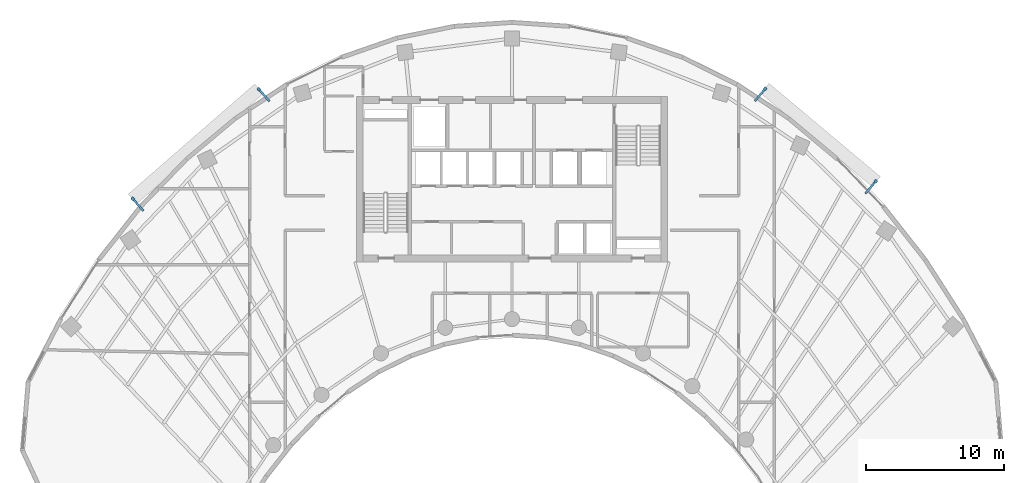
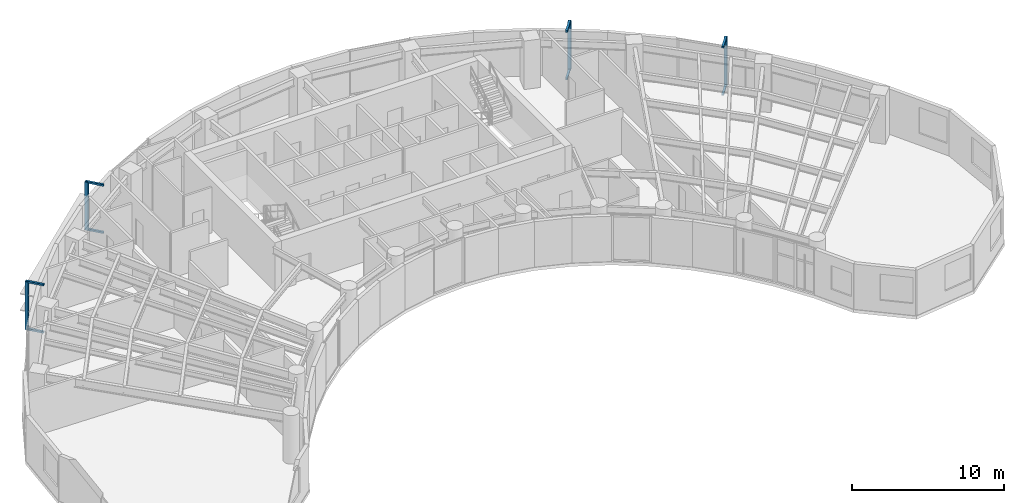
# One storey, part 11 of 13: 12 discrete accessories.
"""IFC4 building model written with IfcOpenShell, lengths in metres."""

import ifcopenshell
import ifcopenshell.guid

model = None  # the IFC model being written
_history = None  # IfcOwnerHistory: only IFC2X3 demands one
_inside = {}  # id of a spatial element -> (the spatial element, [elements in it])
_under = {}  # id of a project, library or spatial element -> (it, [spatial elements below it])
_declared = {}  # id of a project -> (the project, [libraries it declares])
_typed = {}  # id of a type object -> (the type object, [elements of that type])
_made_of = {}  # id of a material, layer set ... -> (it, [elements and type objects made of it])


def new_model(schema):
    """Start an empty IFC model of exactly this schema.

    Asked for "IFC4X3", IfcOpenShell would pick the latest addendum, in which some entities
    have other attributes; the version numbers below select the first issue.
    IFC2X3 requires an IfcOwnerHistory on every rooted entity: one is made here for all.
    """
    global model, _history
    if schema == "IFC4X3":
        model = ifcopenshell.file(schema_version=(4, 3, 0, 0))
    else:
        model = ifcopenshell.file(schema=schema)
    _inside.clear()
    _under.clear()
    _declared.clear()
    _typed.clear()
    _made_of.clear()
    _history = None
    if model.schema == "IFC2X3":
        org = make("IfcOrganization", Name="unknown")
        user = make(
            "IfcPersonAndOrganization",
            ThePerson=make("IfcPerson", FamilyName="unknown"),
            TheOrganization=org,
        )
        app = make(
            "IfcApplication",
            ApplicationDeveloper=org,
            Version="unknown",
            ApplicationFullName="unknown",
            ApplicationIdentifier="unknown",
        )
        _history = make(
            "IfcOwnerHistory",
            OwningUser=user,
            OwningApplication=app,
            ChangeAction="ADDED",
            CreationDate=0,
        )
    return model


def make(cls, **values):
    """One entity of the class cls with the attributes given. An attribute that is None is left unset."""
    return model.create_entity(
        cls, **{name: value for name, value in values.items() if value is not None}
    )


def rooted(cls, **values):
    """An entity with a GlobalId (a new one), such as an element, a storey or a relation."""
    return make(cls, GlobalId=ifcopenshell.guid.new(), OwnerHistory=_history, **values)


def si_unit(unit_type, name, prefix=None):
    """IfcSIUnit, for example si_unit("LENGTHUNIT", "METRE", prefix="MILLI")."""
    return make("IfcSIUnit", UnitType=unit_type, Prefix=prefix, Name=name)


def assignment(units):
    """IfcUnitAssignment: the units of a project."""
    return None if units is None else make("IfcUnitAssignment", Units=units)


def point(xyz):
    """IfcCartesianPoint."""
    return None if xyz is None else make("IfcCartesianPoint", Coordinates=xyz)


def direction(xyz):
    """IfcDirection."""
    return None if xyz is None else make("IfcDirection", DirectionRatios=xyz)


def frame(location, z_axis=None, x_axis=None):
    """IfcAxis2Placement3D, a coordinate frame: its origin and axes. An axis left out is left unset."""
    return make(
        "IfcAxis2Placement3D",
        Location=point(location),
        Axis=direction(z_axis),
        RefDirection=direction(x_axis),
    )


def frame_2d(location, x_axis=None):
    """IfcAxis2Placement2D, a coordinate frame in the plane: its origin and x axis."""
    return make(
        "IfcAxis2Placement2D", Location=point(location), RefDirection=direction(x_axis)
    )


def origin():
    """The frame at (0, 0, 0) with its axes left unset."""
    return frame((0.0, 0.0, 0.0))


def origin_2d():
    """The frame at (0, 0) in the plane with its x axis left unset."""
    return frame_2d((0.0, 0.0))


def place(relative_to, where):
    """IfcLocalPlacement: puts the frame where relative to a parent placement (None: the world)."""
    return make(
        "IfcLocalPlacement", PlacementRelTo=relative_to, RelativePlacement=where
    )


def context(
    kind, dimensions, precision=None, world=None, true_north=None, identifier=None
):
    """IfcGeometricRepresentationContext, for example the 3D "Model" context."""
    return make(
        "IfcGeometricRepresentationContext",
        ContextIdentifier=identifier,
        ContextType=kind,
        CoordinateSpaceDimension=dimensions,
        Precision=precision,
        WorldCoordinateSystem=world,
        TrueNorth=true_north,
    )


def subcontext(parent, identifier, kind, view, scale=None):
    """IfcGeometricRepresentationSubContext, for example "Body" below "Model"."""
    return make(
        "IfcGeometricRepresentationSubContext",
        ContextIdentifier=identifier,
        ContextType=kind,
        ParentContext=parent,
        TargetScale=scale,
        TargetView=view,
    )


def project(units=None, contexts=None):
    """IfcProject with its units and contexts."""
    return rooted(
        "IfcProject",
        Name="project",
        RepresentationContexts=contexts,
        UnitsInContext=assignment(units),
    )


def spatial(cls, under=None, at=None, **own):
    """A site, building, storey or space (cls), placed at a placement, below another one or the project."""
    s = rooted(cls, ObjectPlacement=at, **own)
    if under is not None:
        _under.setdefault(under.id(), (under, []))[1].append(s)
    return s


def profile(cls, at=None, kind="AREA", **sizes):
    """A parametric profile (cls). Its sizes go by their IFC names, for example OverallWidth=200.0."""
    return make(cls, ProfileType=kind, Position=at, **sizes)


def rectangle(**sizes):
    """IfcRectangleProfileDef."""
    return profile("IfcRectangleProfileDef", **sizes)


def extrude(swept, where, along, depth):
    """IfcExtrudedAreaSolid: the profile swept, set in the frame where, extruded along a direction by depth."""
    return make(
        "IfcExtrudedAreaSolid",
        SweptArea=swept,
        Position=where,
        ExtrudedDirection=direction(along),
        Depth=depth,
    )


def shape(context_of_items, identifier, shape_type, items):
    """IfcShapeRepresentation: the items that make up one representation, for example the "Body"."""
    return make(
        "IfcShapeRepresentation",
        ContextOfItems=context_of_items,
        RepresentationIdentifier=identifier,
        RepresentationType=shape_type,
        Items=items,
    )


def source(mapping_origin, context_of_items, identifier, shape_type, items):
    """IfcRepresentationMap: a shape defined once, which mapped items show again and again."""
    return make(
        "IfcRepresentationMap",
        MappingOrigin=mapping_origin,
        MappedRepresentation=shape(context_of_items, identifier, shape_type, items),
    )


def transform(
    local_origin,
    x_axis=None,
    y_axis=None,
    z_axis=None,
    scale=None,
    scale2=None,
    scale3=None,
    uniform=True,
):
    """IfcCartesianTransformationOperator3D, or its non-uniform kind. x_axis, y_axis, z_axis: its Axis1, 2, 3."""
    if uniform:
        return make(
            "IfcCartesianTransformationOperator3D",
            Axis1=direction(x_axis),
            Axis2=direction(y_axis),
            LocalOrigin=point(local_origin),
            Scale=scale,
            Axis3=direction(z_axis),
        )
    return make(
        "IfcCartesianTransformationOperator3DnonUniform",
        Axis1=direction(x_axis),
        Axis2=direction(y_axis),
        LocalOrigin=point(local_origin),
        Scale=scale,
        Axis3=direction(z_axis),
        Scale2=scale2,
        Scale3=scale3,
    )


def mapped(mapping_source, mapping_target):
    """IfcMappedItem: shows the shape of a source again, moved by a transform."""
    return make(
        "IfcMappedItem", MappingSource=mapping_source, MappingTarget=mapping_target
    )


def material(Name=None, Category=None):
    """IfcMaterial."""
    return make("IfcMaterial", Name=Name, Category=Category)


def made_of(thing, what):
    """Note that an element or type object is made of a material, layer set ...; save() writes the relation."""
    if what is not None:
        _made_of.setdefault(what.id(), (what, []))[1].append(thing)
    return thing


def type_object(cls, material=None, **own):
    """A type object (cls), such as IfcWallType, which elements share."""
    return made_of(rooted(cls, **own), material)


def type_shapes(of_type, sources):
    """Give a type object the sources (RepresentationMaps) that its elements show as mapped items."""
    of_type.RepresentationMaps = sources


def element(
    cls,
    number,
    at=None,
    inside=None,
    cuts=None,
    type_object=None,
    material=None,
    context=None,
    identifier="Body",
    shape_type=None,
    held_by="IfcProductDefinitionShape",
    body=None,
    shapes=None,
    **own,
):
    """One element of the class cls, such as IfcWall. Its Tag is "e" and its number.

    at: its placement. inside: the storey or other place that contains it. cuts: it is an
    opening in that element (IfcRelVoidsElement). A single representation is given by context,
    identifier, shape_type and body (its items); several are given by shapes. held_by: the class
    of the entity that holds the representations. save() writes the other relations.
    """
    e = rooted(cls, Tag="e%d" % number, ObjectPlacement=at, **own)
    if body is not None:
        shapes = [shape(context, identifier, shape_type, body)]
    if shapes is not None:
        e.Representation = make(held_by, Representations=shapes)
    if inside is not None:
        _inside.setdefault(inside.id(), (inside, []))[1].append(e)
    if cuts is not None:
        rooted(
            "IfcRelVoidsElement", RelatingBuildingElement=cuts, RelatedOpeningElement=e
        )
    if type_object is not None:
        _typed.setdefault(type_object.id(), (type_object, []))[1].append(e)
    return made_of(e, material)


def aggregate(whole, parts):
    """IfcRelAggregates: a whole, such as a stair, and the parts it consists of."""
    return rooted("IfcRelAggregates", RelatingObject=whole, RelatedObjects=parts)


def save(model, path):
    """Write the relations noted so far, then the file.

    IfcRelAggregates (storeys below a building ...), IfcRelContainedInSpatialStructure (elements
    in a storey), IfcRelDefinesByType, IfcRelAssociatesMaterial and IfcRelDeclares: one each for
    every whole, place, type object, material and project.
    """
    for whole, parts in _under.values():
        aggregate(whole, parts)
    for where, things in _inside.values():
        rooted(
            "IfcRelContainedInSpatialStructure",
            RelatedElements=things,
            RelatingStructure=where,
        )
    for kind, things in _typed.values():
        rooted("IfcRelDefinesByType", RelatedObjects=things, RelatingType=kind)
    for what, things in _made_of.values():
        rooted("IfcRelAssociatesMaterial", RelatedObjects=things, RelatingMaterial=what)
    for by, libraries in _declared.values():
        rooted("IfcRelDeclares", RelatingContext=by, RelatedDefinitions=libraries)
    model.write(path)


model = new_model("IFC4")

# Units and contexts
model_context = context("Model", 3, precision=1e-05, world=origin(), true_north=direction((0.0, 1.0)))
body_context = subcontext(model_context, "Body", "Model", "MODEL_VIEW")
ifc_project = project(units=[si_unit("LENGTHUNIT", "METRE"), si_unit("AREAUNIT", "SQUARE_METRE"), si_unit("VOLUMEUNIT", "CUBIC_METRE"), si_unit("PLANEANGLEUNIT", "RADIAN"), si_unit("MASSUNIT", "GRAM", prefix="KILO")], contexts=[model_context])

# Site, building, storey
site_placement = place(None, origin())
site = spatial("IfcSite", under=ifc_project, at=site_placement, CompositionType="ELEMENT")
building_placement = place(site_placement, origin())
building = spatial("IfcBuilding", under=site, at=building_placement, Name="Breltana Convention Tower", CompositionType="ELEMENT")
storey_placement = place(building_placement, frame((0.0, 0.0, 170.10009765625)))
storey = spatial("IfcBuildingStorey", under=building, at=storey_placement, Name="L41", CompositionType="ELEMENT", Elevation=170.10009765625)

# Discrete accessories
ifc_material = material(Name="Steel S355", Category="steel")
discrete_accessory_type_1 = type_object("IfcDiscreteAccessoryType", Name="ACC-DSF-BRACKET-150", PredefinedType="BRACKET", material=ifc_material)
shared_shape_1 = source(origin(), body_context, "Body", "SweptSolid", [
    extrude(rectangle(XDim=1.239990234375, YDim=0.14990234375, at=origin_2d()), origin(), (0.0, 0.0, 1.0), 0.139892578125),
])
type_shapes(discrete_accessory_type_1, [shared_shape_1])
for number, where, z_axis, x_axis, name in (
    (1, (20.849853515625, 64.353271484375, -0.16015625), (0.0, 0.0, 1.0), (-0.65645558996, 0.754364672032, 0.0), "L41 double-skin slab stand-off bracket 1.1B"),
    (2, (20.849853515625, 64.353271484375, 3.64990234375), (0.0, 0.0, 1.0), (-0.65645558996, 0.754364672032, 0.0), "L41 double-skin slab stand-off bracket 1.1T"),
    (3, (29.988525390625, 72.305908203125, -0.16015625), (0.0, 0.0, 1.0), (-0.65645558996, 0.754364672032, 0.0), "L41 double-skin slab stand-off bracket 1.2B"),
    (4, (29.988525390625, 72.305908203125, 3.64990234375), (0.0, 0.0, 1.0), (-0.65645558996, 0.754364672032, 0.0), "L41 double-skin slab stand-off bracket 1.2T"),
    (5, (66.019287109375, 72.327880859375, -0.16015625), (0.0, 0.0, 1.0), (0.641989340657, 0.766713562214, 0.0), "L41 double-skin slab stand-off bracket 2.1B"),
    (6, (66.019287109375, 72.327880859375, 3.64990234375), (0.0, 0.0, 1.0), (0.641989340657, 0.766713562214, 0.0), "L41 double-skin slab stand-off bracket 2.1T"),
    (7, (74.037841796875, 65.61376953125, -0.16015625), (0.0, 0.0, 1.0), (0.641989340657, 0.766713562214, 0.0), "L41 double-skin slab stand-off bracket 2.2B"),
    (8, (74.037841796875, 65.61376953125, 3.64990234375), (0.0, 0.0, 1.0), (0.641989340657, 0.766713562214, 0.0), "L41 double-skin slab stand-off bracket 2.2T"),
):
    element("IfcDiscreteAccessory", number, at=place(storey_placement, frame(where, z_axis=z_axis, x_axis=x_axis)), inside=storey, type_object=discrete_accessory_type_1, Name=name, PredefinedType="BRACKET", context=body_context, shape_type="MappedRepresentation", body=[
        mapped(shared_shape_1, transform((0.0, 0.0, 0.0), scale=1.0)),
    ])
discrete_accessory_type_2 = type_object("IfcDiscreteAccessoryType", Name="ACC-DSF-CARRIER-150", PredefinedType="BRACKET", material=ifc_material)
shared_shape_2 = source(origin(), body_context, "Body", "SweptSolid", [
    extrude(rectangle(XDim=0.219970703125, YDim=0.219970703125, at=origin_2d()), origin(), (0.0, 0.0, 1.0), 3.8701171875),
])
for number, where, z_axis, x_axis, name in (
    (9, (20.482177734375, 64.77587890625, -0.1201171875), (0.0, 0.0, 1.0), (-0.65645558996, 0.754364672032, 0.0), "L41 double-skin outer vertical carrier 1.1"),
    (10, (29.620849609375, 72.728271484375, -0.1201171875), (0.0, 0.0, 1.0), (-0.65645558996, 0.754364672032, 0.0), "L41 double-skin outer vertical carrier 1.2"),
    (11, (66.37890625, 72.757080078125, -0.1201171875), (0.0, 0.0, 1.0), (0.641989340657, 0.766713562214, 0.0), "L41 double-skin outer vertical carrier 2.1"),
    (12, (74.3974609375, 66.043212890625, -0.1201171875), (0.0, 0.0, 1.0), (0.641989340657, 0.766713562214, 0.0), "L41 double-skin outer vertical carrier 2.2"),
):
    element("IfcDiscreteAccessory", number, at=place(storey_placement, frame(where, z_axis=z_axis, x_axis=x_axis)), inside=storey, type_object=discrete_accessory_type_2, Name=name, PredefinedType="BRACKET", context=body_context, shape_type="MappedRepresentation", body=[
        mapped(shared_shape_2, transform((0.0, 0.0, 0.0), scale=1.0)),
    ])

save(model, "model.ifc")
